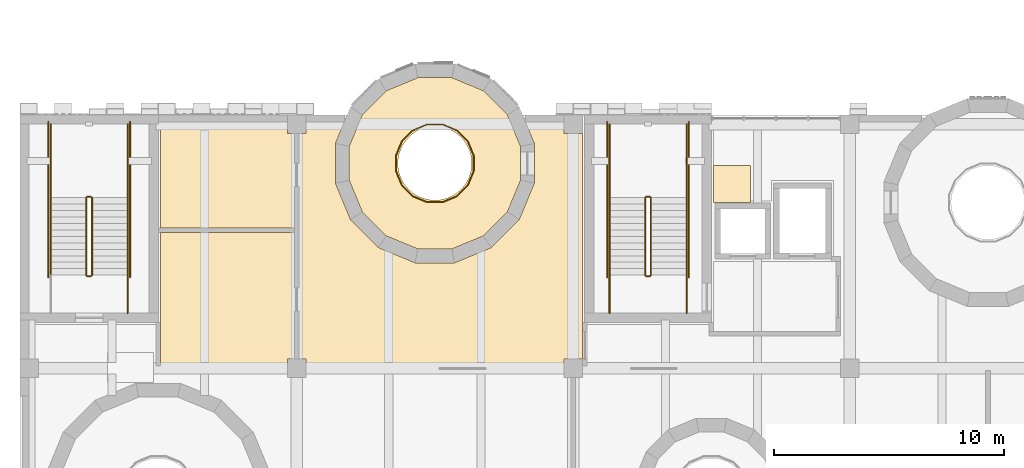
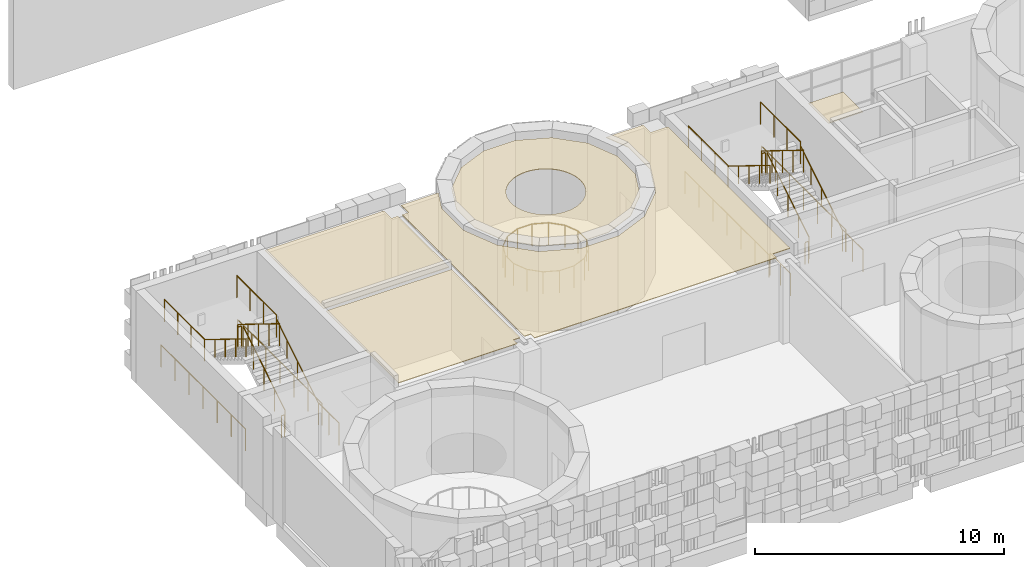
# One storey, part 59 of 92: 24 railings, 5 coverings.
"""IFC4 building model written with IfcOpenShell, lengths in metres."""

from ifc_helpers import new_model, si_unit, direction, frame, origin, origin_2d, place, context, subcontext, project, spatial, polyline, circle, outline, extrude, material, layer, layer_set, type_object, element, save


model = new_model("IFC4")

# Units and contexts
model_context = context("Model", 3, precision=1e-05, world=origin(), true_north=direction((0.0, 1.0)))
body_context = subcontext(model_context, "Body", "Model", "MODEL_VIEW")
ifc_project = project(units=[si_unit("LENGTHUNIT", "METRE"), si_unit("AREAUNIT", "SQUARE_METRE"), si_unit("VOLUMEUNIT", "CUBIC_METRE"), si_unit("PLANEANGLEUNIT", "RADIAN"), si_unit("MASSUNIT", "GRAM", prefix="KILO")], contexts=[model_context])

# Site, building, storey
site_placement = place(None, origin())
site = spatial("IfcSite", under=ifc_project, at=site_placement, CompositionType="ELEMENT")
building_placement = place(site_placement, origin())
building = spatial("IfcBuilding", under=site, at=building_placement, Name="Sun Court Science Centre", CompositionType="ELEMENT")
storey_placement = place(building_placement, frame((0.0, 0.0, 11.25)))
storey = spatial("IfcBuildingStorey", under=building, at=storey_placement, Name="L02", CompositionType="ELEMENT", Elevation=11.25)

# Coverings
ifc_material_1 = material(Name="Gypsum board")
ifc_layer = layer(ifc_material_1, 0.030029296875)
ifc_layer_set = layer_set([ifc_layer], Name="Gypsum board")
covering_type = type_object("IfcCoveringType", Name="Ceiling suspended 600 module", PredefinedType="CEILING", material=ifc_layer_set)
covering_1_placement = place(storey_placement, frame((0.0, 0.0, 3.77001953125)))
element("IfcCovering", 1, at=covering_1_placement, inside=storey, type_object=covering_type, Name="L02-002 ceiling", PredefinedType="CEILING", context=body_context, shape_type="SweptSolid", body=[
    extrude(outline(polyline([(21.14990234375, 23.79541015625), (20.1044921875, 22.750244140625), (18.739013671875, 22.1845703125), (17.260986328125, 22.1845703125), (15.8955078125, 22.750244140625), (14.85009765625, 23.79541015625), (14.284423828125, 25.160888671875), (14.284423828125, 26.638916015625), (14.85009765625, 28.004638671875), (15.8955078125, 29.0498046875), (17.260986328125, 29.615478515625), (18.739013671875, 29.615478515625), (20.1044921875, 29.0498046875), (21.14990234375, 28.004638671875), (21.715576171875, 26.638916015625), (21.715576171875, 25.160888671875), (21.14990234375, 23.79541015625)]), holes=[polyline([(19.478271484375, 26.51220703125), (19.385498046875, 26.699951171875), (19.269287109375, 26.8740234375), (19.13134765625, 27.031494140625), (18.97412109375, 27.16943359375), (18.800048828125, 27.28564453125), (18.6123046875, 27.378173828125), (18.4140625, 27.445556640625), (18.208740234375, 27.486328125), (18.0, 27.5), (17.791259765625, 27.486328125), (17.5859375, 27.445556640625), (17.3876953125, 27.378173828125), (17.199951171875, 27.28564453125), (17.02587890625, 27.16943359375), (16.86865234375, 27.031494140625), (16.730712890625, 26.8740234375), (16.614501953125, 26.699951171875), (16.521728515625, 26.51220703125), (16.45458984375, 26.314208984375), (16.413818359375, 26.10888671875), (16.39990234375, 25.89990234375), (16.413818359375, 25.691162109375), (16.45458984375, 25.48583984375), (16.521728515625, 25.28759765625), (16.614501953125, 25.10009765625), (16.730712890625, 24.926025390625), (16.86865234375, 24.7685546875), (17.02587890625, 24.630615234375), (17.199951171875, 24.514404296875), (17.3876953125, 24.421875), (17.5859375, 24.3544921875), (17.791259765625, 24.313720703125), (18.0, 24.300048828125), (18.208740234375, 24.313720703125), (18.4140625, 24.3544921875), (18.6123046875, 24.421875), (18.800048828125, 24.514404296875), (18.97412109375, 24.630615234375), (19.13134765625, 24.7685546875), (19.269287109375, 24.926025390625), (19.385498046875, 25.10009765625), (19.478271484375, 25.28759765625), (19.54541015625, 25.48583984375), (19.586181640625, 25.691162109375), (19.60009765625, 25.89990234375), (19.586181640625, 26.10888671875), (19.54541015625, 26.314208984375), (19.478271484375, 26.51220703125)])]), origin(), (0.0, 0.0, 1.0), 0.030029296875),
])
covering_2_placement = place(storey_placement, frame((0.0, 0.0, 3.919921875)))
element("IfcCovering", 2, at=covering_2_placement, inside=storey, type_object=covering_type, Name="L02-013 ceiling", PredefinedType="CEILING", context=body_context, shape_type="SweptSolid", body=[
    extrude(outline(polyline([(6.10009765625, 17.10009765625), (6.10009765625, 22.89990234375), (11.89990234375, 22.89990234375), (11.89990234375, 17.39990234375), (11.60009765625, 17.39990234375), (11.60009765625, 17.10009765625), (6.10009765625, 17.10009765625)])), origin(), (0.0, 0.0, 1.0), 0.030029296875),
])
covering_3_placement = place(storey_placement, frame((0.0, 0.0, 3.919921875)))
element("IfcCovering", 3, at=covering_3_placement, inside=storey, type_object=covering_type, Name="L02-014 ceiling", PredefinedType="CEILING", context=body_context, shape_type="SweptSolid", body=[
    extrude(outline(polyline([(11.89990234375, 27.199951171875), (11.89990234375, 23.10009765625), (6.10009765625, 23.10009765625), (6.10009765625, 27.800048828125), (11.60009765625, 27.800048828125), (11.60009765625, 27.199951171875), (11.89990234375, 27.199951171875)])), origin(), (0.0, 0.0, 1.0), 0.030029296875),
])
covering_4_placement = place(storey_placement, frame((0.0, 0.0, 3.919921875)))
element("IfcCovering", 4, at=covering_4_placement, inside=storey, type_object=covering_type, Name="L02-015 ceiling", PredefinedType="CEILING", context=body_context, shape_type="SweptSolid", body=[
    extrude(outline(polyline([(14.115966796875, 27.800048828125), (13.6845703125, 26.75830078125), (13.6845703125, 25.04150390625), (14.341552734375, 23.45556640625), (15.555419921875, 22.241455078125), (17.1416015625, 21.58447265625), (18.8583984375, 21.58447265625), (20.444580078125, 22.241455078125), (21.658447265625, 23.45556640625), (22.3154296875, 25.04150390625), (22.3154296875, 26.75830078125), (21.884033203125, 27.800048828125), (23.60009765625, 27.800048828125), (23.60009765625, 27.199951171875), (24.39990234375, 27.199951171875), (24.39990234375, 17.39990234375), (23.60009765625, 17.39990234375), (23.60009765625, 17.10009765625), (12.39990234375, 17.10009765625), (12.39990234375, 17.39990234375), (12.10009765625, 17.39990234375), (12.10009765625, 27.199951171875), (12.39990234375, 27.199951171875), (12.39990234375, 27.800048828125), (14.115966796875, 27.800048828125)])), origin(), (0.0, 0.0, 1.0), 0.030029296875),
])
covering_5_placement = place(storey_placement, frame((0.0, 0.0, 3.919921875)))
element("IfcCovering", 5, at=covering_5_placement, inside=storey, type_object=covering_type, Name="L02-030 ceiling", PredefinedType="CEILING", context=body_context, shape_type="SweptSolid", body=[
    extrude(outline(polyline([(31.699951171875, 25.800048828125), (31.699951171875, 24.199951171875), (30.10009765625, 24.199951171875), (30.10009765625, 25.800048828125), (31.699951171875, 25.800048828125)])), origin(), (0.0, 0.0, 1.0), 0.030029296875),
])

# Railings
ifc_material_2 = material(Name="Steel S275", Category="steel")
railing_type_1 = type_object("IfcRailingType", Name="Guard 1100 steel balustrade", PredefinedType="GUARDRAIL", material=ifc_material_2)
railing_1_placement = place(storey_placement, frame((3.125, 21.048095703125, 0.173095703125)))
element("IfcRailing", 6, at=railing_1_placement, inside=storey, type_object=railing_type_1, Name="L02 SB1 stair guard 1", PredefinedType="GUARDRAIL", context=body_context, shape_type="SweptSolid", body=[
    extrude(circle(Radius=0.02392578125, at=origin_2d()), frame((0.0, 0.0, 1.076171875), z_axis=(0.0, 0.850606129759, 0.525803396734), x_axis=(-1.0, 0.0, 0.0)), (0.0, 0.0, 1.0), 3.949951171875),
    extrude(circle(Radius=0.02099609375, at=origin_2d()), origin(), (0.0, 0.0, 1.0), 1.052001953125),
    extrude(circle(Radius=0.02099609375, at=origin_2d()), frame((0.0, 0.83984375, 0.519287109375)), (0.0, 0.0, 1.0), 1.052001953125),
    extrude(circle(Radius=0.02099609375, at=origin_2d()), frame((0.0, 1.679931640625, 1.03857421875)), (0.0, 0.0, 1.0), 1.052001953125),
    extrude(circle(Radius=0.02099609375, at=origin_2d()), frame((0.0, 2.52001953125, 1.5576171875)), (0.0, 0.0, 1.0), 1.052001953125),
    extrude(circle(Radius=0.02099609375, at=origin_2d()), frame((0.0, 3.35986328125, 2.076904296875)), (0.0, 0.0, 1.0), 1.052001953125),
])
railing_2_placement = place(storey_placement, frame((3.074951171875, 24.4580078125, 2.25)))
element("IfcRailing", 7, at=railing_2_placement, inside=storey, type_object=railing_type_1, Name="L02 SB1 stair guard 2", PredefinedType="GUARDRAIL", context=body_context, shape_type="SweptSolid", body=[
    extrude(circle(Radius=0.02392578125, at=origin_2d()), frame((0.0, 0.0, 1.076171875), z_axis=(-1.0, 0.0, 0.0), x_axis=(0.0, -1.0, 0.0)), (0.0, 0.0, 1.0), 0.14990234375),
    extrude(circle(Radius=0.02099609375, at=origin_2d()), origin(), (0.0, 0.0, 1.0), 1.052001953125),
    extrude(circle(Radius=0.02099609375, at=origin_2d()), frame((-0.14990234375, 0.0, 0.0)), (0.0, 0.0, 1.0), 1.052001953125),
])
for number, where, name in (
    (8, (4.673095703125, 24.407958984375, 2.25), "L02 SB1 stair guard 3"),
    (9, (1.326904296875, 24.407958984375, 2.25), "L02 SB1 stair guard 4"),
):
    element("IfcRailing", number, at=place(storey_placement, frame(where)), inside=storey, type_object=railing_type_1, Name=name, PredefinedType="GUARDRAIL", context=body_context, shape_type="SweptSolid", body=[
        extrude(circle(Radius=0.02392578125, at=origin_2d()), frame((0.0, 0.0, 1.076171875), z_axis=(0.0, 1.0, 0.0), x_axis=(-1.0, 0.0, 0.0)), (0.0, 0.0, 1.0), 3.192138671875),
        extrude(circle(Radius=0.02099609375, at=origin_2d()), origin(), (0.0, 0.0, 1.0), 1.052001953125),
        extrude(circle(Radius=0.02099609375, at=origin_2d()), frame((0.0, 1.06396484375, 0.0)), (0.0, 0.0, 1.0), 1.052001953125),
        extrude(circle(Radius=0.02099609375, at=origin_2d()), frame((0.0, 2.128173828125, 0.0)), (0.0, 0.0, 1.0), 1.052001953125),
        extrude(circle(Radius=0.02099609375, at=origin_2d()), frame((0.0, 3.192138671875, 0.0)), (0.0, 0.0, 1.0), 1.052001953125),
    ])
railing_3_placement = place(storey_placement, frame((2.875, 24.407958984375, 2.423095703125)))
element("IfcRailing", 10, at=railing_3_placement, inside=storey, type_object=railing_type_1, Name="L02 SB1 stair guard 5", PredefinedType="GUARDRAIL", context=body_context, shape_type="SweptSolid", body=[
    extrude(circle(Radius=0.02392578125, at=origin_2d()), frame((0.0, 0.0, 1.076171875), z_axis=(0.0, -0.850606129759, 0.525803396734), x_axis=(1.0, 0.0, 0.0)), (0.0, 0.0, 1.0), 3.949951171875),
    extrude(circle(Radius=0.02099609375, at=origin_2d()), origin(), (0.0, 0.0, 1.0), 1.052001953125),
    extrude(circle(Radius=0.02099609375, at=origin_2d()), frame((0.0, -0.83984375, 0.519287109375)), (0.0, 0.0, 1.0), 1.052001953125),
    extrude(circle(Radius=0.02099609375, at=origin_2d()), frame((0.0, -1.679931640625, 1.03857421875)), (0.0, 0.0, 1.0), 1.052001953125),
    extrude(circle(Radius=0.02099609375, at=origin_2d()), frame((0.0, -2.52001953125, 1.5576171875)), (0.0, 0.0, 1.0), 1.052001953125),
    extrude(circle(Radius=0.02099609375, at=origin_2d()), frame((0.0, -3.35986328125, 2.076904296875)), (0.0, 0.0, 1.0), 1.052001953125),
])
railing_4_placement = place(storey_placement, frame((3.074951171875, 20.998046875, 0.0)))
element("IfcRailing", 11, at=railing_4_placement, inside=storey, type_object=railing_type_1, Name="L02 SB1 stair guard 6", PredefinedType="GUARDRAIL", context=body_context, shape_type="SweptSolid", body=[
    extrude(circle(Radius=0.02392578125, at=origin_2d()), frame((0.0, 0.0, 1.076171875), z_axis=(-1.0, 0.0, 0.0), x_axis=(0.0, -1.0, 0.0)), (0.0, 0.0, 1.0), 0.14990234375),
    extrude(circle(Radius=0.02099609375, at=origin_2d()), origin(), (0.0, 0.0, 1.0), 1.052001953125),
    extrude(circle(Radius=0.02099609375, at=origin_2d()), frame((-0.14990234375, 0.0, 0.0)), (0.0, 0.0, 1.0), 1.052001953125),
])
railing_5_placement = place(storey_placement, frame((4.673095703125, 19.39990234375, 0.0)))
element("IfcRailing", 12, at=railing_5_placement, inside=storey, type_object=railing_type_1, Name="L02 SB1 stair guard 7", PredefinedType="GUARDRAIL", context=body_context, shape_type="SweptSolid", body=[
    extrude(circle(Radius=0.02392578125, at=origin_2d()), frame((0.0, 0.0, 1.076171875), z_axis=(0.0, 1.0, 0.0), x_axis=(-1.0, 0.0, 0.0)), (0.0, 0.0, 1.0), 1.648193359375),
    extrude(circle(Radius=0.02099609375, at=origin_2d()), origin(), (0.0, 0.0, 1.0), 1.052001953125),
    extrude(circle(Radius=0.02099609375, at=origin_2d()), frame((0.0, 0.82421875, 0.0)), (0.0, 0.0, 1.0), 1.052001953125),
    extrude(circle(Radius=0.02099609375, at=origin_2d()), frame((0.0, 1.648193359375, 0.0)), (0.0, 0.0, 1.0), 1.052001953125),
])
for number, where, name in (
    (13, (4.77294921875, 20.947998046875, 0.0), "L02 SB1 stair guard 9"),
    (14, (1.22705078125, 20.947998046875, 0.0), "L02 SB1 stair guard 10"),
):
    element("IfcRailing", number, at=place(storey_placement, frame(where)), inside=storey, type_object=railing_type_1, Name=name, PredefinedType="GUARDRAIL", context=body_context, shape_type="SweptSolid", body=[
        extrude(circle(Radius=0.02392578125, at=origin_2d()), frame((0.0, 0.0, 1.076171875), z_axis=(0.0, 1.0, 0.0), x_axis=(-1.0, 0.0, 0.0)), (0.0, 0.0, 1.0), 6.751953125),
        extrude(circle(Radius=0.02099609375, at=origin_2d()), origin(), (0.0, 0.0, 1.0), 1.052001953125),
        extrude(circle(Radius=0.02099609375, at=origin_2d()), frame((0.0, 1.125244140625, 0.0)), (0.0, 0.0, 1.0), 1.052001953125),
        extrude(circle(Radius=0.02099609375, at=origin_2d()), frame((0.0, 2.250732421875, 0.0)), (0.0, 0.0, 1.0), 1.052001953125),
        extrude(circle(Radius=0.02099609375, at=origin_2d()), frame((0.0, 3.3759765625, 0.0)), (0.0, 0.0, 1.0), 1.052001953125),
        extrude(circle(Radius=0.02099609375, at=origin_2d()), frame((0.0, 4.501220703125, 0.0)), (0.0, 0.0, 1.0), 1.052001953125),
        extrude(circle(Radius=0.02099609375, at=origin_2d()), frame((0.0, 5.626708984375, 0.0)), (0.0, 0.0, 1.0), 1.052001953125),
        extrude(circle(Radius=0.02099609375, at=origin_2d()), frame((0.0, 6.751953125, 0.0)), (0.0, 0.0, 1.0), 1.052001953125),
    ])
railing_6_placement = place(storey_placement, frame((27.375, 21.048095703125, 0.173095703125)))
element("IfcRailing", 15, at=railing_6_placement, inside=storey, type_object=railing_type_1, Name="L02 SB2 stair guard 1", PredefinedType="GUARDRAIL", context=body_context, shape_type="SweptSolid", body=[
    extrude(circle(Radius=0.02392578125, at=origin_2d()), frame((0.0, 0.0, 1.076171875), z_axis=(0.0, 0.850606129759, 0.525803396734), x_axis=(-1.0, 0.0, 0.0)), (0.0, 0.0, 1.0), 3.949951171875),
    extrude(circle(Radius=0.02099609375, at=origin_2d()), origin(), (0.0, 0.0, 1.0), 1.052001953125),
    extrude(circle(Radius=0.02099609375, at=origin_2d()), frame((0.0, 0.83984375, 0.519287109375)), (0.0, 0.0, 1.0), 1.052001953125),
    extrude(circle(Radius=0.02099609375, at=origin_2d()), frame((0.0, 1.679931640625, 1.03857421875)), (0.0, 0.0, 1.0), 1.052001953125),
    extrude(circle(Radius=0.02099609375, at=origin_2d()), frame((0.0, 2.52001953125, 1.5576171875)), (0.0, 0.0, 1.0), 1.052001953125),
    extrude(circle(Radius=0.02099609375, at=origin_2d()), frame((0.0, 3.35986328125, 2.076904296875)), (0.0, 0.0, 1.0), 1.052001953125),
])
railing_7_placement = place(storey_placement, frame((27.324951171875, 24.4580078125, 2.25)))
element("IfcRailing", 16, at=railing_7_placement, inside=storey, type_object=railing_type_1, Name="L02 SB2 stair guard 2", PredefinedType="GUARDRAIL", context=body_context, shape_type="SweptSolid", body=[
    extrude(circle(Radius=0.02392578125, at=origin_2d()), frame((0.0, 0.0, 1.076171875), z_axis=(-1.0, 0.0, 0.0), x_axis=(0.0, -1.0, 0.0)), (0.0, 0.0, 1.0), 0.14990234375),
    extrude(circle(Radius=0.02099609375, at=origin_2d()), origin(), (0.0, 0.0, 1.0), 1.052001953125),
    extrude(circle(Radius=0.02099609375, at=origin_2d()), frame((-0.14990234375, 0.0, 0.0)), (0.0, 0.0, 1.0), 1.052001953125),
])
for number, where, name in (
    (17, (28.923095703125, 24.407958984375, 2.25), "L02 SB2 stair guard 3"),
    (18, (25.576904296875, 24.407958984375, 2.25), "L02 SB2 stair guard 4"),
):
    element("IfcRailing", number, at=place(storey_placement, frame(where)), inside=storey, type_object=railing_type_1, Name=name, PredefinedType="GUARDRAIL", context=body_context, shape_type="SweptSolid", body=[
        extrude(circle(Radius=0.02392578125, at=origin_2d()), frame((0.0, 0.0, 1.076171875), z_axis=(0.0, 1.0, 0.0), x_axis=(-1.0, 0.0, 0.0)), (0.0, 0.0, 1.0), 3.192138671875),
        extrude(circle(Radius=0.02099609375, at=origin_2d()), origin(), (0.0, 0.0, 1.0), 1.052001953125),
        extrude(circle(Radius=0.02099609375, at=origin_2d()), frame((0.0, 1.06396484375, 0.0)), (0.0, 0.0, 1.0), 1.052001953125),
        extrude(circle(Radius=0.02099609375, at=origin_2d()), frame((0.0, 2.128173828125, 0.0)), (0.0, 0.0, 1.0), 1.052001953125),
        extrude(circle(Radius=0.02099609375, at=origin_2d()), frame((0.0, 3.192138671875, 0.0)), (0.0, 0.0, 1.0), 1.052001953125),
    ])
railing_8_placement = place(storey_placement, frame((27.125, 24.407958984375, 2.423095703125)))
element("IfcRailing", 19, at=railing_8_placement, inside=storey, type_object=railing_type_1, Name="L02 SB2 stair guard 5", PredefinedType="GUARDRAIL", context=body_context, shape_type="SweptSolid", body=[
    extrude(circle(Radius=0.02392578125, at=origin_2d()), frame((0.0, 0.0, 1.076171875), z_axis=(0.0, -0.850606129759, 0.525803396734), x_axis=(1.0, 0.0, 0.0)), (0.0, 0.0, 1.0), 3.949951171875),
    extrude(circle(Radius=0.02099609375, at=origin_2d()), origin(), (0.0, 0.0, 1.0), 1.052001953125),
    extrude(circle(Radius=0.02099609375, at=origin_2d()), frame((0.0, -0.83984375, 0.519287109375)), (0.0, 0.0, 1.0), 1.052001953125),
    extrude(circle(Radius=0.02099609375, at=origin_2d()), frame((0.0, -1.679931640625, 1.03857421875)), (0.0, 0.0, 1.0), 1.052001953125),
    extrude(circle(Radius=0.02099609375, at=origin_2d()), frame((0.0, -2.52001953125, 1.5576171875)), (0.0, 0.0, 1.0), 1.052001953125),
    extrude(circle(Radius=0.02099609375, at=origin_2d()), frame((0.0, -3.35986328125, 2.076904296875)), (0.0, 0.0, 1.0), 1.052001953125),
])
railing_9_placement = place(storey_placement, frame((27.324951171875, 20.998046875, 0.0)))
element("IfcRailing", 20, at=railing_9_placement, inside=storey, type_object=railing_type_1, Name="L02 SB2 stair guard 6", PredefinedType="GUARDRAIL", context=body_context, shape_type="SweptSolid", body=[
    extrude(circle(Radius=0.02392578125, at=origin_2d()), frame((0.0, 0.0, 1.076171875), z_axis=(-1.0, 0.0, 0.0), x_axis=(0.0, -1.0, 0.0)), (0.0, 0.0, 1.0), 0.14990234375),
    extrude(circle(Radius=0.02099609375, at=origin_2d()), origin(), (0.0, 0.0, 1.0), 1.052001953125),
    extrude(circle(Radius=0.02099609375, at=origin_2d()), frame((-0.14990234375, 0.0, 0.0)), (0.0, 0.0, 1.0), 1.052001953125),
])
for number, where, name in (
    (21, (28.923095703125, 19.39990234375, 0.0), "L02 SB2 stair guard 7"),
    (22, (25.576904296875, 19.39990234375, 0.0), "L02 SB2 stair guard 8"),
):
    element("IfcRailing", number, at=place(storey_placement, frame(where)), inside=storey, type_object=railing_type_1, Name=name, PredefinedType="GUARDRAIL", context=body_context, shape_type="SweptSolid", body=[
        extrude(circle(Radius=0.02392578125, at=origin_2d()), frame((0.0, 0.0, 1.076171875), z_axis=(0.0, 1.0, 0.0), x_axis=(-1.0, 0.0, 0.0)), (0.0, 0.0, 1.0), 1.648193359375),
        extrude(circle(Radius=0.02099609375, at=origin_2d()), origin(), (0.0, 0.0, 1.0), 1.052001953125),
        extrude(circle(Radius=0.02099609375, at=origin_2d()), frame((0.0, 0.82421875, 0.0)), (0.0, 0.0, 1.0), 1.052001953125),
        extrude(circle(Radius=0.02099609375, at=origin_2d()), frame((0.0, 1.648193359375, 0.0)), (0.0, 0.0, 1.0), 1.052001953125),
    ])
for number, where, name in (
    (23, (29.02294921875, 20.947998046875, 0.0), "L02 SB2 stair guard 9"),
    (24, (25.47705078125, 20.947998046875, 0.0), "L02 SB2 stair guard 10"),
):
    element("IfcRailing", number, at=place(storey_placement, frame(where)), inside=storey, type_object=railing_type_1, Name=name, PredefinedType="GUARDRAIL", context=body_context, shape_type="SweptSolid", body=[
        extrude(circle(Radius=0.02392578125, at=origin_2d()), frame((0.0, 0.0, 1.076171875), z_axis=(0.0, 1.0, 0.0), x_axis=(-1.0, 0.0, 0.0)), (0.0, 0.0, 1.0), 6.751953125),
        extrude(circle(Radius=0.02099609375, at=origin_2d()), origin(), (0.0, 0.0, 1.0), 1.052001953125),
        extrude(circle(Radius=0.02099609375, at=origin_2d()), frame((0.0, 1.125244140625, 0.0)), (0.0, 0.0, 1.0), 1.052001953125),
        extrude(circle(Radius=0.02099609375, at=origin_2d()), frame((0.0, 2.250732421875, 0.0)), (0.0, 0.0, 1.0), 1.052001953125),
        extrude(circle(Radius=0.02099609375, at=origin_2d()), frame((0.0, 3.3759765625, 0.0)), (0.0, 0.0, 1.0), 1.052001953125),
        extrude(circle(Radius=0.02099609375, at=origin_2d()), frame((0.0, 4.501220703125, 0.0)), (0.0, 0.0, 1.0), 1.052001953125),
        extrude(circle(Radius=0.02099609375, at=origin_2d()), frame((0.0, 5.626708984375, 0.0)), (0.0, 0.0, 1.0), 1.052001953125),
        extrude(circle(Radius=0.02099609375, at=origin_2d()), frame((0.0, 6.751953125, 0.0)), (0.0, 0.0, 1.0), 1.052001953125),
    ])
ifc_material_3 = material(Name="Steel S275", Category="steel")
railing_type_2 = type_object("IfcRailingType", Name="Guard 1100 well balustrade", PredefinedType="GUARDRAIL", material=ifc_material_3)
railing_10_placement = place(storey_placement, frame((19.68701171875, 26.235595703125, 0.0)))
element("IfcRailing", 25, at=railing_10_placement, inside=storey, type_object=railing_type_2, Name="C2 well guard L02", PredefinedType="GUARDRAIL", context=body_context, shape_type="SweptSolid", body=[
    extrude(circle(Radius=0.02392578125, at=origin_2d()), frame((0.0, 0.0, 1.076171875), z_axis=(-0.382780256271, 0.923839420792, 0.0), x_axis=(-0.923839420792, -0.382780256271, 0.0)), (0.0, 0.0, 1.0), 0.6708984375),
    extrude(circle(Radius=0.02392578125, at=origin_2d()), frame((-0.2568359375, 0.619873046875, 1.076171875), z_axis=(-0.707106781187, 0.707106781187, 0.0), x_axis=(-0.707106781187, -0.707106781187, 0.0)), (0.0, 0.0, 1.0), 0.671142578125),
    extrude(circle(Radius=0.02392578125, at=origin_2d()), frame((-0.7314453125, 1.094482421875, 1.076171875), z_axis=(-0.923892706888, 0.382651625058, 0.0), x_axis=(-0.382651625058, -0.923892706888, 0.0)), (0.0, 0.0, 1.0), 0.671142578125),
    extrude(circle(Radius=0.02392578125, at=origin_2d()), frame((-1.3515625, 1.351318359375, 1.076171875), z_axis=(-1.0, 0.0, 0.0), x_axis=(0.0, -1.0, 0.0)), (0.0, 0.0, 1.0), 0.6708984375),
    extrude(circle(Radius=0.02392578125, at=origin_2d()), frame((-2.0224609375, 1.351318359375, 1.076171875), z_axis=(-0.923892706888, -0.382651625058, 0.0), x_axis=(0.382651625058, -0.923892706888, 0.0)), (0.0, 0.0, 1.0), 0.671142578125),
    extrude(circle(Radius=0.02392578125, at=origin_2d()), frame((-2.642578125, 1.094482421875, 1.076171875), z_axis=(-0.707106781187, -0.707106781187, 0.0), x_axis=(0.707106781187, -0.707106781187, 0.0)), (0.0, 0.0, 1.0), 0.671142578125),
    extrude(circle(Radius=0.02392578125, at=origin_2d()), frame((-3.1171875, 0.619873046875, 1.076171875), z_axis=(-0.382780256271, -0.923839420792, 0.0), x_axis=(0.923839420792, -0.382780256271, 0.0)), (0.0, 0.0, 1.0), 0.6708984375),
    extrude(circle(Radius=0.02392578125, at=origin_2d()), frame((-3.3740234375, 0.0, 1.076171875), z_axis=(0.0, -1.0, 0.0), x_axis=(1.0, 0.0, 0.0)), (0.0, 0.0, 1.0), 0.671142578125),
    extrude(circle(Radius=0.02392578125, at=origin_2d()), frame((-3.3740234375, -0.671142578125, 1.076171875), z_axis=(0.382651625058, -0.923892706888, 0.0), x_axis=(0.923892706888, 0.382651625058, 0.0)), (0.0, 0.0, 1.0), 0.671142578125),
    extrude(circle(Radius=0.02392578125, at=origin_2d()), frame((-3.1171875, -1.291259765625, 1.076171875), z_axis=(0.707288673597, -0.706924841975, 0.0), x_axis=(0.706924841975, 0.707288673597, 0.0)), (0.0, 0.0, 1.0), 0.671142578125),
    extrude(circle(Radius=0.02392578125, at=origin_2d()), frame((-2.642578125, -1.765625, 1.076171875), z_axis=(0.923892706888, -0.382651625058, 0.0), x_axis=(0.382651625058, 0.923892706888, 0.0)), (0.0, 0.0, 1.0), 0.671142578125),
    extrude(circle(Radius=0.02392578125, at=origin_2d()), frame((-2.0224609375, -2.0224609375, 1.076171875), z_axis=(1.0, 0.0, 0.0), x_axis=(0.0, 1.0, 0.0)), (0.0, 0.0, 1.0), 0.6708984375),
    extrude(circle(Radius=0.02392578125, at=origin_2d()), frame((-1.3515625, -2.0224609375, 1.076171875), z_axis=(0.923892706888, 0.382651625058, 0.0), x_axis=(-0.382651625058, 0.923892706888, 0.0)), (0.0, 0.0, 1.0), 0.671142578125),
    extrude(circle(Radius=0.02392578125, at=origin_2d()), frame((-0.7314453125, -1.765625, 1.076171875), z_axis=(0.707288673597, 0.706924841975, 0.0), x_axis=(-0.706924841975, 0.707288673597, 0.0)), (0.0, 0.0, 1.0), 0.671142578125),
    extrude(circle(Radius=0.02392578125, at=origin_2d()), frame((-0.2568359375, -1.291259765625, 1.076171875), z_axis=(0.382651625058, 0.923892706888, 0.0), x_axis=(-0.923892706888, 0.382651625058, 0.0)), (0.0, 0.0, 1.0), 0.671142578125),
    extrude(circle(Radius=0.02392578125, at=origin_2d()), frame((0.0, -0.671142578125, 1.076171875), z_axis=(0.0, 1.0, 0.0), x_axis=(-1.0, 0.0, 0.0)), (0.0, 0.0, 1.0), 0.671142578125),
    extrude(circle(Radius=0.02099609375, at=origin_2d()), origin(), (0.0, 0.0, 1.0), 1.052001953125),
    extrude(circle(Radius=0.02099609375, at=origin_2d()), frame((-0.2568359375, 0.619873046875, 0.0)), (0.0, 0.0, 1.0), 1.052001953125),
    extrude(circle(Radius=0.02099609375, at=origin_2d()), frame((-0.7314453125, 1.094482421875, 0.0)), (0.0, 0.0, 1.0), 1.052001953125),
    extrude(circle(Radius=0.02099609375, at=origin_2d()), frame((-1.3515625, 1.351318359375, 0.0)), (0.0, 0.0, 1.0), 1.052001953125),
    extrude(circle(Radius=0.02099609375, at=origin_2d()), frame((-2.0224609375, 1.351318359375, 0.0)), (0.0, 0.0, 1.0), 1.052001953125),
    extrude(circle(Radius=0.02099609375, at=origin_2d()), frame((-2.642578125, 1.094482421875, 0.0)), (0.0, 0.0, 1.0), 1.052001953125),
    extrude(circle(Radius=0.02099609375, at=origin_2d()), frame((-3.1171875, 0.619873046875, 0.0)), (0.0, 0.0, 1.0), 1.052001953125),
    extrude(circle(Radius=0.02099609375, at=origin_2d()), frame((-3.3740234375, 0.0, 0.0)), (0.0, 0.0, 1.0), 1.052001953125),
    extrude(circle(Radius=0.02099609375, at=origin_2d()), frame((-3.3740234375, -0.671142578125, 0.0)), (0.0, 0.0, 1.0), 1.052001953125),
    extrude(circle(Radius=0.02099609375, at=origin_2d()), frame((-3.1171875, -1.291259765625, 0.0)), (0.0, 0.0, 1.0), 1.052001953125),
    extrude(circle(Radius=0.02099609375, at=origin_2d()), frame((-2.642578125, -1.765625, 0.0)), (0.0, 0.0, 1.0), 1.052001953125),
    extrude(circle(Radius=0.02099609375, at=origin_2d()), frame((-2.0224609375, -2.0224609375, 0.0)), (0.0, 0.0, 1.0), 1.052001953125),
    extrude(circle(Radius=0.02099609375, at=origin_2d()), frame((-1.3515625, -2.0224609375, 0.0)), (0.0, 0.0, 1.0), 1.052001953125),
    extrude(circle(Radius=0.02099609375, at=origin_2d()), frame((-0.7314453125, -1.765625, 0.0)), (0.0, 0.0, 1.0), 1.052001953125),
    extrude(circle(Radius=0.02099609375, at=origin_2d()), frame((-0.2568359375, -1.291259765625, 0.0)), (0.0, 0.0, 1.0), 1.052001953125),
    extrude(circle(Radius=0.02099609375, at=origin_2d()), frame((0.0, -0.671142578125, 0.0)), (0.0, 0.0, 1.0), 1.052001953125),
])
ifc_material_4 = material(Name="Stainless steel", Category="steel")
railing_type_3 = type_object("IfcRailingType", Name="Handrail 900 stainless", PredefinedType="HANDRAIL", material=ifc_material_4)
railing_11_placement = place(storey_placement, frame((4.673095703125, 21.048095703125, 0.173095703125)))
element("IfcRailing", 26, at=railing_11_placement, inside=storey, type_object=railing_type_3, Name="L02 SB1 stair handrail 1", PredefinedType="HANDRAIL", context=body_context, shape_type="SweptSolid", body=[
    extrude(circle(Radius=0.02392578125, at=origin_2d()), frame((0.0, 0.0, 0.8759765625), z_axis=(0.0, 0.850606129759, 0.525803396734), x_axis=(-1.0, 0.0, 0.0)), (0.0, 0.0, 1.0), 3.949951171875),
    extrude(circle(Radius=0.02099609375, at=origin_2d()), origin(), (0.0, 0.0, 1.0), 0.851806640625),
    extrude(circle(Radius=0.02099609375, at=origin_2d()), frame((0.0, 0.83984375, 0.519287109375)), (0.0, 0.0, 1.0), 0.851806640625),
    extrude(circle(Radius=0.02099609375, at=origin_2d()), frame((0.0, 1.679931640625, 1.03857421875)), (0.0, 0.0, 1.0), 0.851806640625),
    extrude(circle(Radius=0.02099609375, at=origin_2d()), frame((0.0, 2.52001953125, 1.5576171875)), (0.0, 0.0, 1.0), 0.851806640625),
    extrude(circle(Radius=0.02099609375, at=origin_2d()), frame((0.0, 3.35986328125, 2.076904296875)), (0.0, 0.0, 1.0), 0.851806640625),
])
railing_12_placement = place(storey_placement, frame((1.326904296875, 24.407958984375, 2.423095703125)))
element("IfcRailing", 27, at=railing_12_placement, inside=storey, type_object=railing_type_3, Name="L02 SB1 stair handrail 2", PredefinedType="HANDRAIL", context=body_context, shape_type="SweptSolid", body=[
    extrude(circle(Radius=0.02392578125, at=origin_2d()), frame((0.0, 0.0, 0.8759765625), z_axis=(0.0, -0.850606129759, 0.525803396734), x_axis=(1.0, 0.0, 0.0)), (0.0, 0.0, 1.0), 3.949951171875),
    extrude(circle(Radius=0.02099609375, at=origin_2d()), origin(), (0.0, 0.0, 1.0), 0.851806640625),
    extrude(circle(Radius=0.02099609375, at=origin_2d()), frame((0.0, -0.83984375, 0.519287109375)), (0.0, 0.0, 1.0), 0.851806640625),
    extrude(circle(Radius=0.02099609375, at=origin_2d()), frame((0.0, -1.679931640625, 1.03857421875)), (0.0, 0.0, 1.0), 0.851806640625),
    extrude(circle(Radius=0.02099609375, at=origin_2d()), frame((0.0, -2.52001953125, 1.5576171875)), (0.0, 0.0, 1.0), 0.851806640625),
    extrude(circle(Radius=0.02099609375, at=origin_2d()), frame((0.0, -3.35986328125, 2.076904296875)), (0.0, 0.0, 1.0), 0.851806640625),
])
railing_13_placement = place(storey_placement, frame((28.923095703125, 21.048095703125, 0.173095703125)))
element("IfcRailing", 28, at=railing_13_placement, inside=storey, type_object=railing_type_3, Name="L02 SB2 stair handrail 1", PredefinedType="HANDRAIL", context=body_context, shape_type="SweptSolid", body=[
    extrude(circle(Radius=0.02392578125, at=origin_2d()), frame((0.0, 0.0, 0.8759765625), z_axis=(0.0, 0.850606129759, 0.525803396734), x_axis=(-1.0, 0.0, 0.0)), (0.0, 0.0, 1.0), 3.949951171875),
    extrude(circle(Radius=0.02099609375, at=origin_2d()), origin(), (0.0, 0.0, 1.0), 0.851806640625),
    extrude(circle(Radius=0.02099609375, at=origin_2d()), frame((0.0, 0.83984375, 0.519287109375)), (0.0, 0.0, 1.0), 0.851806640625),
    extrude(circle(Radius=0.02099609375, at=origin_2d()), frame((0.0, 1.679931640625, 1.03857421875)), (0.0, 0.0, 1.0), 0.851806640625),
    extrude(circle(Radius=0.02099609375, at=origin_2d()), frame((0.0, 2.52001953125, 1.5576171875)), (0.0, 0.0, 1.0), 0.851806640625),
    extrude(circle(Radius=0.02099609375, at=origin_2d()), frame((0.0, 3.35986328125, 2.076904296875)), (0.0, 0.0, 1.0), 0.851806640625),
])
railing_14_placement = place(storey_placement, frame((25.576904296875, 24.407958984375, 2.423095703125)))
element("IfcRailing", 29, at=railing_14_placement, inside=storey, type_object=railing_type_3, Name="L02 SB2 stair handrail 2", PredefinedType="HANDRAIL", context=body_context, shape_type="SweptSolid", body=[
    extrude(circle(Radius=0.02392578125, at=origin_2d()), frame((0.0, 0.0, 0.8759765625), z_axis=(0.0, -0.850606129759, 0.525803396734), x_axis=(1.0, 0.0, 0.0)), (0.0, 0.0, 1.0), 3.949951171875),
    extrude(circle(Radius=0.02099609375, at=origin_2d()), origin(), (0.0, 0.0, 1.0), 0.851806640625),
    extrude(circle(Radius=0.02099609375, at=origin_2d()), frame((0.0, -0.83984375, 0.519287109375)), (0.0, 0.0, 1.0), 0.851806640625),
    extrude(circle(Radius=0.02099609375, at=origin_2d()), frame((0.0, -1.679931640625, 1.03857421875)), (0.0, 0.0, 1.0), 0.851806640625),
    extrude(circle(Radius=0.02099609375, at=origin_2d()), frame((0.0, -2.52001953125, 1.5576171875)), (0.0, 0.0, 1.0), 0.851806640625),
    extrude(circle(Radius=0.02099609375, at=origin_2d()), frame((0.0, -3.35986328125, 2.076904296875)), (0.0, 0.0, 1.0), 0.851806640625),
])

save(model, "model.ifc")
